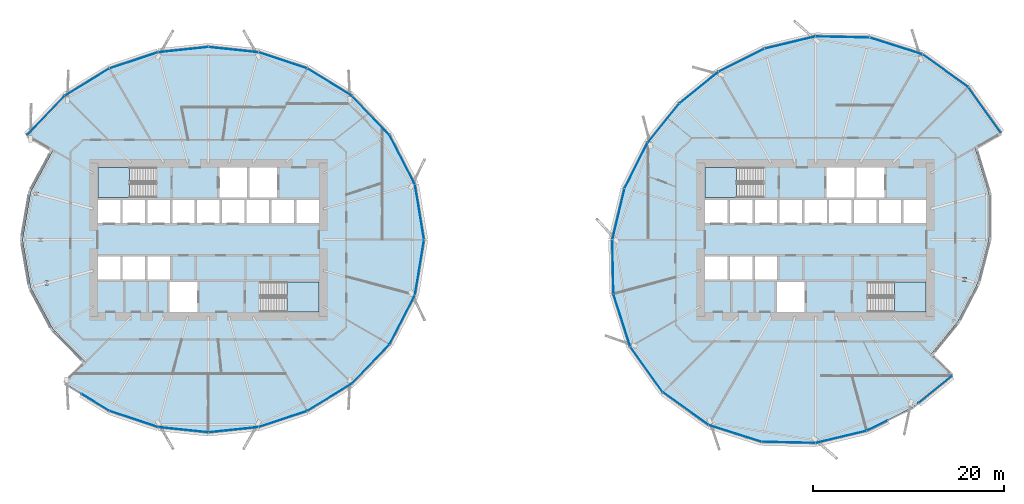
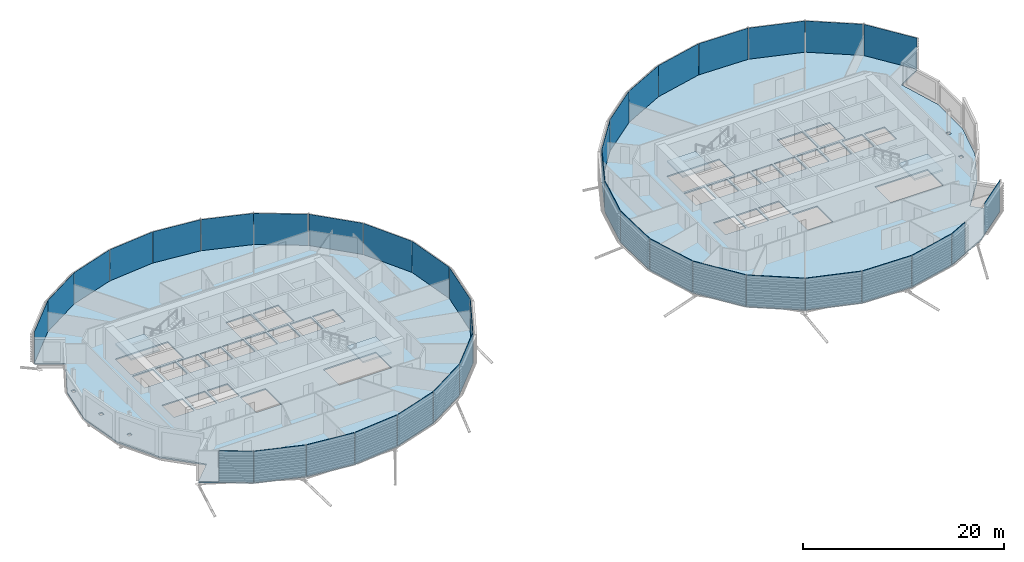
# One storey, part 19 of 38: 38 plates, 6 slabs, 6 elements without a shape of their own.
"""IFC4 building model written with IfcOpenShell, lengths in metres."""

from ifc_helpers import new_model, si_unit, direction, frame, origin, origin_2d, place, context, subcontext, project, spatial, polyline, rectangle, outline, extrude, material, layer, layer_set, type_object, element, aggregate, save


model = new_model("IFC4")

# Units and contexts
model_context = context("Model", 3, precision=1e-05, world=origin(), true_north=direction((0.0, 1.0)))
body_context = subcontext(model_context, "Body", "Model", "MODEL_VIEW")
ifc_project = project(units=[si_unit("LENGTHUNIT", "METRE"), si_unit("AREAUNIT", "SQUARE_METRE"), si_unit("VOLUMEUNIT", "CUBIC_METRE"), si_unit("PLANEANGLEUNIT", "RADIAN"), si_unit("MASSUNIT", "GRAM", prefix="KILO")], contexts=[model_context])

# Site, building, storey
site_placement = place(None, origin())
site = spatial("IfcSite", under=ifc_project, at=site_placement, CompositionType="ELEMENT")
building_placement = place(site_placement, origin())
building = spatial("IfcBuilding", under=site, at=building_placement, Name="Rimbun Link Towers", CompositionType="ELEMENT")
storey_placement = place(building_placement, frame((0.0, 0.0, 49.0)))
storey = spatial("IfcBuildingStorey", under=building, at=storey_placement, Name="L11", CompositionType="ELEMENT", Elevation=49.0)

# Slabs
ifc_material_1 = material(Name="Concrete C35/45", Category="concrete")
ifc_layer_1 = layer(ifc_material_1, 0.159912109375)
ifc_layer_set_1 = layer_set([ifc_layer_1], Name="COMPOSITE FLOOR 160")
slab_type_1 = type_object("IfcSlabType", Name="COMPOSITE FLOOR 160", PredefinedType="FLOOR", material=ifc_layer_set_1)
slab_1_placement = place(storey_placement, frame((0.0, 0.0, -0.159912109375)))
element("IfcSlab", 1, at=slab_1_placement, inside=storey, type_object=slab_type_1, Name="Floor slab T1 L11", PredefinedType="FLOOR", context=body_context, shape_type="SweptSolid", body=[
    extrude(outline(polyline([(-46.76318359375, 15.01318359375), (-42.07861328125, 17.8896484375), (-36.994873046875, 19.57421875), (-31.75, 20.126708984375), (-26.505126953125, 19.57421875), (-21.42138671875, 17.8896484375), (-16.73681640625, 15.01318359375), (-12.82080078125, 10.9287109375), (-10.159423828125, 5.78515625), (-9.208251953125, 0.0), (-10.159423828125, -5.78515625), (-12.82080078125, -10.9287109375), (-16.73681640625, -15.01318359375), (-21.42138671875, -17.8896484375), (-26.505126953125, -19.57421875), (-31.75, -20.126708984375), (-36.994873046875, -19.57421875), (-42.07861328125, -17.8896484375), (-46.76318359375, -15.01318359375), (-44.5712890625, -12.8212890625), (-47.994384765625, -9.378662109375), (-50.34619140625, -4.98291015625), (-51.19189453125, 0.0), (-50.34619140625, 4.98291015625), (-47.994384765625, 9.378662109375), (-50.67919921875, 10.9287109375), (-46.76318359375, 15.01318359375)]), holes=[polyline([(-48.43896484375, -4.72216796875), (-48.43896484375, -4.32861328125), (-48.837890625, -4.32861328125), (-48.837890625, -4.72216796875), (-48.43896484375, -4.72216796875)]), polyline([(-40.95556640625, -4.14990234375), (-40.95556640625, -1.75), (-43.300048828125, -1.75), (-43.300048828125, -4.14990234375), (-40.95556640625, -4.14990234375)]), polyline([(-38.361083984375, -4.14990234375), (-38.361083984375, -1.75), (-40.70556640625, -1.75), (-40.70556640625, -4.14990234375), (-38.361083984375, -4.14990234375)]), polyline([(-38.111083984375, -4.14990234375), (-35.7666015625, -4.14990234375), (-35.7666015625, -1.75), (-38.111083984375, -1.75), (-38.111083984375, -4.14990234375)]), polyline([(-49.4970703125, -0.19677734375), (-49.09814453125, -0.19677734375), (-49.09814453125, 0.19677734375), (-49.4970703125, 0.19677734375), (-49.4970703125, -0.19677734375)]), polyline([(-40.95556640625, 1.75), (-40.95556640625, 4.14990234375), (-43.300048828125, 4.14990234375), (-43.300048828125, 1.75), (-40.95556640625, 1.75)]), polyline([(-38.361083984375, 1.75), (-38.361083984375, 4.14990234375), (-40.70556640625, 4.14990234375), (-40.70556640625, 1.75), (-38.361083984375, 1.75)]), polyline([(-35.7666015625, 1.75), (-35.7666015625, 4.14990234375), (-38.111083984375, 4.14990234375), (-38.111083984375, 1.75), (-35.7666015625, 1.75)]), polyline([(-49.907958984375, 4.615234375), (-49.509033203125, 4.615234375), (-49.509033203125, 5.0087890625), (-49.907958984375, 5.0087890625), (-49.907958984375, 4.615234375)]), polyline([(-43.300048828125, 4.39990234375), (-37.260009765625, 4.39990234375), (-37.260009765625, 7.550048828125), (-43.300048828125, 7.550048828125), (-43.300048828125, 4.39990234375)]), polyline([(-32.89990234375, -7.550048828125), (-32.89990234375, -4.39990234375), (-35.800048828125, -4.39990234375), (-35.800048828125, -7.550048828125), (-32.89990234375, -7.550048828125)]), polyline([(-20.199951171875, -7.550048828125), (-20.199951171875, -4.39990234375), (-26.239990234375, -4.39990234375), (-26.239990234375, -7.550048828125), (-20.199951171875, -7.550048828125)]), polyline([(-33.172119140625, 1.75), (-33.172119140625, 4.14990234375), (-35.5166015625, 4.14990234375), (-35.5166015625, 1.75), (-33.172119140625, 1.75)]), polyline([(-32.922119140625, 1.75), (-30.577880859375, 1.75), (-30.577880859375, 4.14990234375), (-32.922119140625, 4.14990234375), (-32.922119140625, 1.75)]), polyline([(-30.327880859375, 1.75), (-27.9833984375, 1.75), (-27.9833984375, 4.14990234375), (-30.327880859375, 4.14990234375), (-30.327880859375, 1.75)]), polyline([(-25.388916015625, 1.75), (-25.388916015625, 4.14990234375), (-27.7333984375, 4.14990234375), (-27.7333984375, 1.75), (-25.388916015625, 1.75)]), polyline([(-22.79443359375, 1.75), (-22.79443359375, 4.14990234375), (-25.138916015625, 4.14990234375), (-25.138916015625, 1.75), (-22.79443359375, 1.75)]), polyline([(-20.199951171875, 1.75), (-20.199951171875, 4.14990234375), (-22.54443359375, 4.14990234375), (-22.54443359375, 1.75), (-20.199951171875, 1.75)]), polyline([(-30.60009765625, 4.39990234375), (-27.699951171875, 4.39990234375), (-27.699951171875, 7.550048828125), (-30.60009765625, 7.550048828125), (-30.60009765625, 4.39990234375)]), polyline([(-27.449951171875, 4.39990234375), (-24.550048828125, 4.39990234375), (-24.550048828125, 7.550048828125), (-27.449951171875, 7.550048828125), (-27.449951171875, 4.39990234375)])]), origin(), (0.0, 0.0, 1.0), 0.159912109375),
])
slab_2_placement = place(storey_placement, frame((0.0, 0.0, -0.159912109375)))
element("IfcSlab", 2, at=slab_2_placement, inside=storey, type_object=slab_type_1, Name="Floor slab T2 L11", PredefinedType="FLOOR", context=body_context, shape_type="SweptSolid", body=[
    extrude(outline(polyline([(41.88232421875, -17.5498046875), (37.096435546875, -19.953125), (31.75, -21.23193359375), (26.093017578125, -21.11279296875), (20.573974609375, -19.357421875), (15.810546875, -15.939453125), (12.392578125, -11.176025390625), (10.63720703125, -5.656982421875), (10.51806640625, 0.0), (11.796875, 5.346435546875), (14.2001953125, 10.13232421875), (17.518310546875, 14.231689453125), (21.61767578125, 17.5498046875), (26.403564453125, 19.953125), (31.75, 21.23193359375), (37.406982421875, 21.11279296875), (42.926025390625, 19.357421875), (47.689453125, 15.939453125), (51.107421875, 11.176025390625), (48.4228515625, 9.626220703125), (49.868408203125, 4.854736328125), (49.8818359375, 0.0), (48.708740234375, -4.544189453125), (46.614990234375, -8.58251953125), (43.78955078125, -12.03955078125), (45.981689453125, -14.231689453125), (41.88232421875, -17.5498046875)]), holes=[polyline([(30.60009765625, -7.550048828125), (30.60009765625, -4.39990234375), (27.699951171875, -4.39990234375), (27.699951171875, -7.550048828125), (30.60009765625, -7.550048828125)]), polyline([(22.54443359375, -4.14990234375), (22.54443359375, -1.75), (20.199951171875, -1.75), (20.199951171875, -4.14990234375), (22.54443359375, -4.14990234375)]), polyline([(25.138916015625, -4.14990234375), (25.138916015625, -1.75), (22.79443359375, -1.75), (22.79443359375, -4.14990234375), (25.138916015625, -4.14990234375)]), polyline([(27.7333984375, -4.14990234375), (27.7333984375, -1.75), (25.388916015625, -1.75), (25.388916015625, -4.14990234375), (27.7333984375, -4.14990234375)]), polyline([(22.54443359375, 1.75), (22.54443359375, 4.14990234375), (20.199951171875, 4.14990234375), (20.199951171875, 1.75), (22.54443359375, 1.75)]), polyline([(25.138916015625, 1.75), (25.138916015625, 4.14990234375), (22.79443359375, 4.14990234375), (22.79443359375, 1.75), (25.138916015625, 1.75)]), polyline([(27.7333984375, 1.75), (27.7333984375, 4.14990234375), (25.388916015625, 4.14990234375), (25.388916015625, 1.75), (27.7333984375, 1.75)]), polyline([(27.9833984375, 1.75), (30.327880859375, 1.75), (30.327880859375, 4.14990234375), (27.9833984375, 4.14990234375), (27.9833984375, 1.75)]), polyline([(30.577880859375, 1.75), (32.922119140625, 1.75), (32.922119140625, 4.14990234375), (30.577880859375, 4.14990234375), (30.577880859375, 1.75)]), polyline([(26.239990234375, 4.39990234375), (26.239990234375, 7.550048828125), (20.199951171875, 7.550048828125), (20.199951171875, 4.39990234375), (26.239990234375, 4.39990234375)]), polyline([(43.300048828125, -7.550048828125), (43.300048828125, -4.39990234375), (37.260009765625, -4.39990234375), (37.260009765625, -7.550048828125), (43.300048828125, -7.550048828125)]), polyline([(47.509765625, -4.3662109375), (47.509765625, -3.972412109375), (47.110595703125, -3.972412109375), (47.110595703125, -4.3662109375), (47.509765625, -4.3662109375)]), polyline([(48.063720703125, -0.19677734375), (48.462890625, -0.19677734375), (48.462890625, 0.19677734375), (48.063720703125, 0.19677734375), (48.063720703125, -0.19677734375)]), polyline([(33.172119140625, 1.75), (35.5166015625, 1.75), (35.5166015625, 4.14990234375), (33.172119140625, 4.14990234375), (33.172119140625, 1.75)]), polyline([(38.111083984375, 1.75), (38.111083984375, 4.14990234375), (35.7666015625, 4.14990234375), (35.7666015625, 1.75), (38.111083984375, 1.75)]), polyline([(40.70556640625, 1.75), (40.70556640625, 4.14990234375), (38.361083984375, 4.14990234375), (38.361083984375, 1.75), (40.70556640625, 1.75)]), polyline([(43.300048828125, 1.75), (43.300048828125, 4.14990234375), (40.95556640625, 4.14990234375), (40.95556640625, 1.75), (43.300048828125, 1.75)]), polyline([(32.89990234375, 4.39990234375), (35.800048828125, 4.39990234375), (35.800048828125, 7.550048828125), (32.89990234375, 7.550048828125), (32.89990234375, 4.39990234375)]), polyline([(36.050048828125, 4.39990234375), (38.949951171875, 4.39990234375), (38.949951171875, 7.550048828125), (36.050048828125, 7.550048828125), (36.050048828125, 4.39990234375)])]), origin(), (0.0, 0.0, 1.0), 0.159912109375),
])

# Curtain wall, plates
ifc_material_2 = material(Name="Aluminium 6063-T6 and low-iron glass", Category="aluminium")
curtain_wall_type = type_object("IfcCurtainWallType", Name="CW1 unitised vision wall", PredefinedType="NOTDEFINED", material=ifc_material_2)
curtain_wall_1_placement = place(storey_placement, origin())
curtain_wall_1 = element("IfcCurtainWall", 3, at=curtain_wall_1_placement, inside=storey, type_object=curtain_wall_type, Name="CW1 L11 T1", PredefinedType="NOTDEFINED")
ifc_material_3 = material(Name="Low-iron glass, laminated low-e unit", Category="glass")
ifc_layer_2 = layer(ifc_material_3, 0.028076171875)
ifc_layer_set_2 = layer_set([ifc_layer_2], Name="CW1 panel Low-iron glass 28")
plate_type = type_object("IfcPlateType", Name="CW1 panel Low-iron glass 28", PredefinedType="CURTAIN_PANEL", material=ifc_layer_set_2)
plate_1_placement = place(storey_placement, frame((-9.669921875, 2.894775390625, 0.0), z_axis=(0.0, 0.0, 1.0), x_axis=(0.162257788061, -0.986748402691, 0.0)))
plate_1 = element("IfcPlate", 4, at=plate_1_placement, type_object=plate_type, Name="CW1 panel", PredefinedType="CURTAIN_PANEL", context=body_context, shape_type="SweptSolid", body=[
    extrude(rectangle(XDim=5.822998046875, YDim=0.028076171875, at=origin_2d()), origin(), (0.0, 0.0, 1.0), 3.800048828125),
])
plate_2_placement = place(storey_placement, frame((-11.477783203125, 8.36328125, 0.0), z_axis=(0.0, 0.0, 1.0), x_axis=(0.459554913934, -0.888149357416, 0.0)))
plate_2 = element("IfcPlate", 5, at=plate_2_placement, type_object=plate_type, Name="CW1 panel", PredefinedType="CURTAIN_PANEL", context=body_context, shape_type="SweptSolid", body=[
    extrude(rectangle(XDim=5.751220703125, YDim=0.028076171875, at=origin_2d()), origin(), (0.0, 0.0, 1.0), 3.800048828125),
])
plate_3_placement = place(storey_placement, frame((-14.768798828125, 12.980712890625, 0.0), z_axis=(0.0, 0.0, 1.0), x_axis=(0.692051593976, -0.721848038908, 0.0)))
plate_3 = element("IfcPlate", 6, at=plate_3_placement, type_object=plate_type, Name="CW1 panel", PredefinedType="CURTAIN_PANEL", context=body_context, shape_type="SweptSolid", body=[
    extrude(rectangle(XDim=5.618408203125, YDim=0.028076171875, at=origin_2d()), origin(), (0.0, 0.0, 1.0), 3.800048828125),
])
plate_4_placement = place(storey_placement, frame((-19.07177734375, 16.46337890625, 0.0), z_axis=(0.0, 0.0, 1.0), x_axis=(0.852185029135, -0.523240552823, 0.0)))
plate_4 = element("IfcPlate", 7, at=plate_4_placement, type_object=plate_type, Name="CW1 panel", PredefinedType="CURTAIN_PANEL", context=body_context, shape_type="SweptSolid", body=[
    extrude(rectangle(XDim=5.457275390625, YDim=0.028076171875, at=origin_2d()), origin(), (0.0, 0.0, 1.0), 3.800048828125),
])
plate_5_placement = place(storey_placement, frame((-23.958984375, 18.7451171875, 0.0), z_axis=(0.0, 0.0, 1.0), x_axis=(0.949238271648, -0.314557949572, 0.0)))
plate_5 = element("IfcPlate", 8, at=plate_5_placement, type_object=plate_type, Name="CW1 panel", PredefinedType="CURTAIN_PANEL", context=body_context, shape_type="SweptSolid", body=[
    extrude(rectangle(XDim=5.3154296875, YDim=0.028076171875, at=origin_2d()), origin(), (0.0, 0.0, 1.0), 3.800048828125),
])
plate_6_placement = place(storey_placement, frame((-29.1259765625, 19.8642578125, 0.0), z_axis=(0.0, 0.0, 1.0), x_axis=(0.994499425228, -0.104742031783, 0.0)))
plate_6 = element("IfcPlate", 9, at=plate_6_placement, type_object=plate_type, Name="CW1 panel", PredefinedType="CURTAIN_PANEL", context=body_context, shape_type="SweptSolid", body=[
    extrude(rectangle(XDim=5.23388671875, YDim=0.028076171875, at=origin_2d()), origin(), (0.0, 0.0, 1.0), 3.800048828125),
])
plate_7_placement = place(storey_placement, frame((-34.3740234375, 19.8642578125, 0.0), z_axis=(0.0, 0.0, 1.0), x_axis=(0.994499425228, 0.104742031783, 0.0)))
plate_7 = element("IfcPlate", 10, at=plate_7_placement, type_object=plate_type, Name="CW1 panel", PredefinedType="CURTAIN_PANEL", context=body_context, shape_type="SweptSolid", body=[
    extrude(rectangle(XDim=5.23388671875, YDim=0.028076171875, at=origin_2d()), origin(), (0.0, 0.0, 1.0), 3.800048828125),
])
plate_8_placement = place(storey_placement, frame((-39.541015625, 18.7451171875, 0.0), z_axis=(0.0, 0.0, 1.0), x_axis=(0.949238271648, 0.314557949572, 0.0)))
plate_8 = element("IfcPlate", 11, at=plate_8_placement, type_object=plate_type, Name="CW1 panel", PredefinedType="CURTAIN_PANEL", context=body_context, shape_type="SweptSolid", body=[
    extrude(rectangle(XDim=5.3154296875, YDim=0.028076171875, at=origin_2d()), origin(), (0.0, 0.0, 1.0), 3.800048828125),
])
plate_9_placement = place(storey_placement, frame((-44.42822265625, 16.46337890625, 0.0), z_axis=(0.0, 0.0, 1.0), x_axis=(0.852185029135, 0.523240552823, 0.0)))
plate_9 = element("IfcPlate", 12, at=plate_9_placement, type_object=plate_type, Name="CW1 panel", PredefinedType="CURTAIN_PANEL", context=body_context, shape_type="SweptSolid", body=[
    extrude(rectangle(XDim=5.457275390625, YDim=0.028076171875, at=origin_2d()), origin(), (0.0, 0.0, 1.0), 3.800048828125),
])
plate_10_placement = place(storey_placement, frame((-48.731201171875, 12.980712890625, 0.0), z_axis=(0.0, 0.0, 1.0), x_axis=(0.692051593976, 0.721848038908, 0.0)))
plate_10 = element("IfcPlate", 13, at=plate_10_placement, type_object=plate_type, Name="CW1 panel", PredefinedType="CURTAIN_PANEL", context=body_context, shape_type="SweptSolid", body=[
    extrude(rectangle(XDim=5.618408203125, YDim=0.028076171875, at=origin_2d()), origin(), (0.0, 0.0, 1.0), 3.800048828125),
])
plate_11_placement = place(storey_placement, frame((-43.5546875, -16.999755859375, 0.0), z_axis=(0.0, 0.0, 1.0), x_axis=(-0.852185029135, 0.523240552823, 0.0)))
plate_11 = element("IfcPlate", 14, at=plate_11_placement, type_object=plate_type, Name="CW1 panel", PredefinedType="CURTAIN_PANEL", context=body_context, shape_type="SweptSolid", body=[
    extrude(rectangle(XDim=3.4072265625, YDim=0.028076171875, at=origin_2d()), origin(), (0.0, 0.0, 1.0), 3.800048828125),
])
plate_12_placement = place(storey_placement, frame((-39.541015625, -18.7451171875, 0.0), z_axis=(0.0, 0.0, 1.0), x_axis=(-0.949238271648, 0.314557949572, 0.0)))
plate_12 = element("IfcPlate", 15, at=plate_12_placement, type_object=plate_type, Name="CW1 panel", PredefinedType="CURTAIN_PANEL", context=body_context, shape_type="SweptSolid", body=[
    extrude(rectangle(XDim=5.3154296875, YDim=0.028076171875, at=origin_2d()), origin(), (0.0, 0.0, 1.0), 3.800048828125),
])
plate_13_placement = place(storey_placement, frame((-34.3740234375, -19.8642578125, 0.0), z_axis=(0.0, 0.0, 1.0), x_axis=(-0.994499425228, 0.104742031783, 0.0)))
plate_13 = element("IfcPlate", 16, at=plate_13_placement, type_object=plate_type, Name="CW1 panel", PredefinedType="CURTAIN_PANEL", context=body_context, shape_type="SweptSolid", body=[
    extrude(rectangle(XDim=5.23388671875, YDim=0.028076171875, at=origin_2d()), origin(), (0.0, 0.0, 1.0), 3.800048828125),
])
plate_14_placement = place(storey_placement, frame((-29.1259765625, -19.8642578125, 0.0), z_axis=(0.0, 0.0, 1.0), x_axis=(-0.994499425228, -0.104742031783, 0.0)))
plate_14 = element("IfcPlate", 17, at=plate_14_placement, type_object=plate_type, Name="CW1 panel", PredefinedType="CURTAIN_PANEL", context=body_context, shape_type="SweptSolid", body=[
    extrude(rectangle(XDim=5.23388671875, YDim=0.028076171875, at=origin_2d()), origin(), (0.0, 0.0, 1.0), 3.800048828125),
])
plate_15_placement = place(storey_placement, frame((-23.958984375, -18.7451171875, 0.0), z_axis=(0.0, 0.0, 1.0), x_axis=(-0.949238271648, -0.314557949572, 0.0)))
plate_15 = element("IfcPlate", 18, at=plate_15_placement, type_object=plate_type, Name="CW1 panel", PredefinedType="CURTAIN_PANEL", context=body_context, shape_type="SweptSolid", body=[
    extrude(rectangle(XDim=5.3154296875, YDim=0.028076171875, at=origin_2d()), origin(), (0.0, 0.0, 1.0), 3.800048828125),
])
plate_16_placement = place(storey_placement, frame((-19.07177734375, -16.46337890625, 0.0), z_axis=(0.0, 0.0, 1.0), x_axis=(-0.852185029135, -0.523240552823, 0.0)))
plate_16 = element("IfcPlate", 19, at=plate_16_placement, type_object=plate_type, Name="CW1 panel", PredefinedType="CURTAIN_PANEL", context=body_context, shape_type="SweptSolid", body=[
    extrude(rectangle(XDim=5.457275390625, YDim=0.028076171875, at=origin_2d()), origin(), (0.0, 0.0, 1.0), 3.800048828125),
])
plate_17_placement = place(storey_placement, frame((-14.768798828125, -12.980712890625, 0.0), z_axis=(0.0, 0.0, 1.0), x_axis=(-0.692051593976, -0.721848038908, 0.0)))
plate_17 = element("IfcPlate", 20, at=plate_17_placement, type_object=plate_type, Name="CW1 panel", PredefinedType="CURTAIN_PANEL", context=body_context, shape_type="SweptSolid", body=[
    extrude(rectangle(XDim=5.618408203125, YDim=0.028076171875, at=origin_2d()), origin(), (0.0, 0.0, 1.0), 3.800048828125),
])
plate_18_placement = place(storey_placement, frame((-11.477783203125, -8.36328125, 0.0), z_axis=(0.0, 0.0, 1.0), x_axis=(-0.459554913934, -0.888149357416, 0.0)))
plate_18 = element("IfcPlate", 21, at=plate_18_placement, type_object=plate_type, Name="CW1 panel", PredefinedType="CURTAIN_PANEL", context=body_context, shape_type="SweptSolid", body=[
    extrude(rectangle(XDim=5.751220703125, YDim=0.028076171875, at=origin_2d()), origin(), (0.0, 0.0, 1.0), 3.800048828125),
])
plate_19_placement = place(storey_placement, frame((-9.669921875, -2.894775390625, 0.0), z_axis=(0.0, 0.0, 1.0), x_axis=(-0.162257788061, -0.986748402691, 0.0)))
plate_19 = element("IfcPlate", 22, at=plate_19_placement, type_object=plate_type, Name="CW1 panel", PredefinedType="CURTAIN_PANEL", context=body_context, shape_type="SweptSolid", body=[
    extrude(rectangle(XDim=5.822998046875, YDim=0.028076171875, at=origin_2d()), origin(), (0.0, 0.0, 1.0), 3.800048828125),
])
aggregate(curtain_wall_1, [plate_1, plate_2, plate_3, plate_4, plate_5, plate_6, plate_7, plate_8, plate_9, plate_10, plate_11, plate_12, plate_13, plate_14, plate_15, plate_16, plate_17, plate_18, plate_19])

curtain_wall_2_placement = place(storey_placement, origin())
curtain_wall_2 = element("IfcCurtainWall", 23, at=curtain_wall_2_placement, inside=storey, type_object=curtain_wall_type, Name="CW1 L11 T2", PredefinedType="NOTDEFINED")
plate_20_placement = place(storey_placement, frame((45.31591796875, 17.659912109375, 0.0), z_axis=(0.0, 0.0, 1.0), x_axis=(0.812475373202, -0.582995512796, 0.0)))
plate_20 = element("IfcPlate", 24, at=plate_20_placement, type_object=plate_type, Name="CW1 panel", PredefinedType="CURTAIN_PANEL", context=body_context, shape_type="SweptSolid", body=[
    extrude(rectangle(XDim=5.82275390625, YDim=0.028076171875, at=origin_2d()), origin(), (0.0, 0.0, 1.0), 3.800048828125),
])
plate_21_placement = place(storey_placement, frame((40.1708984375, 20.24853515625, 0.0), z_axis=(0.0, 0.0, 1.0), x_axis=(0.952967950316, -0.303071090127, 0.0)))
plate_21 = element("IfcPlate", 25, at=plate_21_placement, type_object=plate_type, Name="CW1 panel", PredefinedType="CURTAIN_PANEL", context=body_context, shape_type="SweptSolid", body=[
    extrude(rectangle(XDim=5.75146484375, YDim=0.028076171875, at=origin_2d()), origin(), (0.0, 0.0, 1.0), 3.800048828125),
])
plate_22_placement = place(storey_placement, frame((34.578857421875, 21.186279296875, 0.0), z_axis=(0.0, 0.0, 1.0), x_axis=(0.999778083181, -0.021066190713, 0.0)))
plate_22 = element("IfcPlate", 26, at=plate_22_placement, type_object=plate_type, Name="CW1 panel", PredefinedType="CURTAIN_PANEL", context=body_context, shape_type="SweptSolid", body=[
    extrude(rectangle(XDim=5.618408203125, YDim=0.028076171875, at=origin_2d()), origin(), (0.0, 0.0, 1.0), 3.800048828125),
])
plate_23_placement = place(storey_placement, frame((29.073486328125, 20.606201171875, 0.0), z_axis=(0.0, 0.0, 1.0), x_axis=(0.972570124746, 0.232609871785, 0.0)))
plate_23 = element("IfcPlate", 27, at=plate_23_placement, type_object=plate_type, Name="CW1 panel", PredefinedType="CURTAIN_PANEL", context=body_context, shape_type="SweptSolid", body=[
    extrude(rectangle(XDim=5.457275390625, YDim=0.028076171875, at=origin_2d()), origin(), (0.0, 0.0, 1.0), 3.800048828125),
])
plate_24_placement = place(storey_placement, frame((24.00439453125, 18.763916015625, 0.0), z_axis=(0.0, 0.0, 1.0), x_axis=(0.893649080423, 0.448766443776, 0.0)))
plate_24 = element("IfcPlate", 28, at=plate_24_placement, type_object=plate_type, Name="CW1 panel", PredefinedType="CURTAIN_PANEL", context=body_context, shape_type="SweptSolid", body=[
    extrude(rectangle(XDim=5.315673828125, YDim=0.028076171875, at=origin_2d()), origin(), (0.0, 0.0, 1.0), 3.800048828125),
])
plate_25_placement = place(storey_placement, frame((19.55908203125, 15.901611328125, 0.0), z_axis=(0.0, 0.0, 1.0), x_axis=(0.777280194631, 0.629154590729, 0.0)))
plate_25 = element("IfcPlate", 29, at=plate_25_placement, type_object=plate_type, Name="CW1 panel", PredefinedType="CURTAIN_PANEL", context=body_context, shape_type="SweptSolid", body=[
    extrude(rectangle(XDim=5.23388671875, YDim=0.028076171875, at=origin_2d()), origin(), (0.0, 0.0, 1.0), 3.800048828125),
])
plate_26_placement = place(storey_placement, frame((15.848388671875, 12.19091796875, 0.0), z_axis=(0.0, 0.0, 1.0), x_axis=(0.629154590729, 0.777280194631, 0.0)))
plate_26 = element("IfcPlate", 30, at=plate_26_placement, type_object=plate_type, Name="CW1 panel", PredefinedType="CURTAIN_PANEL", context=body_context, shape_type="SweptSolid", body=[
    extrude(rectangle(XDim=5.23388671875, YDim=0.028076171875, at=origin_2d()), origin(), (0.0, 0.0, 1.0), 3.800048828125),
])
plate_27_placement = place(storey_placement, frame((12.986083984375, 7.74560546875, 0.0), z_axis=(0.0, 0.0, 1.0), x_axis=(0.448766443776, 0.893649080423, 0.0)))
plate_27 = element("IfcPlate", 31, at=plate_27_placement, type_object=plate_type, Name="CW1 panel", PredefinedType="CURTAIN_PANEL", context=body_context, shape_type="SweptSolid", body=[
    extrude(rectangle(XDim=5.315673828125, YDim=0.028076171875, at=origin_2d()), origin(), (0.0, 0.0, 1.0), 3.800048828125),
])
plate_28_placement = place(storey_placement, frame((11.143798828125, 2.676513671875, 0.0), z_axis=(0.0, 0.0, 1.0), x_axis=(0.232609871785, 0.972570124746, 0.0)))
plate_28 = element("IfcPlate", 32, at=plate_28_placement, type_object=plate_type, Name="CW1 panel", PredefinedType="CURTAIN_PANEL", context=body_context, shape_type="SweptSolid", body=[
    extrude(rectangle(XDim=5.457275390625, YDim=0.028076171875, at=origin_2d()), origin(), (0.0, 0.0, 1.0), 3.800048828125),
])
plate_29_placement = place(storey_placement, frame((10.563720703125, -2.828857421875, 0.0), z_axis=(0.0, 0.0, 1.0), x_axis=(-0.021066190713, 0.999778083181, 0.0)))
plate_29 = element("IfcPlate", 33, at=plate_29_placement, type_object=plate_type, Name="CW1 panel", PredefinedType="CURTAIN_PANEL", context=body_context, shape_type="SweptSolid", body=[
    extrude(rectangle(XDim=5.618408203125, YDim=0.028076171875, at=origin_2d()), origin(), (0.0, 0.0, 1.0), 3.800048828125),
])
plate_30_placement = place(storey_placement, frame((11.50146484375, -8.4208984375, 0.0), z_axis=(0.0, 0.0, 1.0), x_axis=(-0.303071090127, 0.952967950316, 0.0)))
plate_30 = element("IfcPlate", 34, at=plate_30_placement, type_object=plate_type, Name="CW1 panel", PredefinedType="CURTAIN_PANEL", context=body_context, shape_type="SweptSolid", body=[
    extrude(rectangle(XDim=5.75146484375, YDim=0.028076171875, at=origin_2d()), origin(), (0.0, 0.0, 1.0), 3.800048828125),
])
plate_31_placement = place(storey_placement, frame((14.090087890625, -13.56591796875, 0.0), z_axis=(0.0, 0.0, 1.0), x_axis=(-0.582995512796, 0.812475373202, 0.0)))
plate_31 = element("IfcPlate", 35, at=plate_31_placement, type_object=plate_type, Name="CW1 panel", PredefinedType="CURTAIN_PANEL", context=body_context, shape_type="SweptSolid", body=[
    extrude(rectangle(XDim=5.82275390625, YDim=0.028076171875, at=origin_2d()), origin(), (0.0, 0.0, 1.0), 3.800048828125),
])
plate_32_placement = place(storey_placement, frame((18.18408203125, -17.659912109375, 0.0), z_axis=(0.0, 0.0, 1.0), x_axis=(-0.812475373202, 0.582995512796, 0.0)))
plate_32 = element("IfcPlate", 36, at=plate_32_placement, type_object=plate_type, Name="CW1 panel", PredefinedType="CURTAIN_PANEL", context=body_context, shape_type="SweptSolid", body=[
    extrude(rectangle(XDim=5.82275390625, YDim=0.028076171875, at=origin_2d()), origin(), (0.0, 0.0, 1.0), 3.800048828125),
])
plate_33_placement = place(storey_placement, frame((23.3291015625, -20.24853515625, 0.0), z_axis=(0.0, 0.0, 1.0), x_axis=(-0.952967950316, 0.303071090127, 0.0)))
plate_33 = element("IfcPlate", 37, at=plate_33_placement, type_object=plate_type, Name="CW1 panel", PredefinedType="CURTAIN_PANEL", context=body_context, shape_type="SweptSolid", body=[
    extrude(rectangle(XDim=5.75146484375, YDim=0.028076171875, at=origin_2d()), origin(), (0.0, 0.0, 1.0), 3.800048828125),
])
plate_34_placement = place(storey_placement, frame((28.921142578125, -21.186279296875, 0.0), z_axis=(0.0, 0.0, 1.0), x_axis=(-0.999778083181, 0.021066190713, 0.0)))
plate_34 = element("IfcPlate", 38, at=plate_34_placement, type_object=plate_type, Name="CW1 panel", PredefinedType="CURTAIN_PANEL", context=body_context, shape_type="SweptSolid", body=[
    extrude(rectangle(XDim=5.618408203125, YDim=0.028076171875, at=origin_2d()), origin(), (0.0, 0.0, 1.0), 3.800048828125),
])
plate_35_placement = place(storey_placement, frame((34.426513671875, -20.606201171875, 0.0), z_axis=(0.0, 0.0, 1.0), x_axis=(-0.972570124746, -0.232609871785, 0.0)))
plate_35 = element("IfcPlate", 39, at=plate_35_placement, type_object=plate_type, Name="CW1 panel", PredefinedType="CURTAIN_PANEL", context=body_context, shape_type="SweptSolid", body=[
    extrude(rectangle(XDim=5.457275390625, YDim=0.028076171875, at=origin_2d()), origin(), (0.0, 0.0, 1.0), 3.800048828125),
])
plate_36_placement = place(storey_placement, frame((38.199951171875, -19.414794921875, 0.0), z_axis=(0.0, 0.0, 1.0), x_axis=(-0.893649080423, -0.448766443776, 0.0)))
plate_36 = element("IfcPlate", 40, at=plate_36_placement, type_object=plate_type, Name="CW1 panel", PredefinedType="CURTAIN_PANEL", context=body_context, shape_type="SweptSolid", body=[
    extrude(rectangle(XDim=2.41552734375, YDim=0.028076171875, at=origin_2d()), origin(), (0.0, 0.0, 1.0), 3.800048828125),
])
plate_37_placement = place(storey_placement, frame((44.232421875, -15.665771484375, 0.0), z_axis=(0.0, 0.0, 1.0), x_axis=(-0.777280194631, -0.629154590729, 0.0)))
plate_37 = element("IfcPlate", 41, at=plate_37_placement, type_object=plate_type, Name="CW1 panel", PredefinedType="CURTAIN_PANEL", context=body_context, shape_type="SweptSolid", body=[
    extrude(rectangle(XDim=4.48388671875, YDim=0.028076171875, at=origin_2d()), origin(), (0.0, 0.0, 1.0), 3.800048828125),
])
plate_38_placement = place(storey_placement, frame((49.409912109375, 13.56591796875, 0.0), z_axis=(0.0, 0.0, 1.0), x_axis=(0.582995512796, -0.812475373202, 0.0)))
plate_38 = element("IfcPlate", 42, at=plate_38_placement, type_object=plate_type, Name="CW1 panel", PredefinedType="CURTAIN_PANEL", context=body_context, shape_type="SweptSolid", body=[
    extrude(rectangle(XDim=5.82275390625, YDim=0.028076171875, at=origin_2d()), origin(), (0.0, 0.0, 1.0), 3.800048828125),
])
aggregate(curtain_wall_2, [plate_20, plate_21, plate_22, plate_23, plate_24, plate_25, plate_26, plate_27, plate_28, plate_29, plate_30, plate_31, plate_32, plate_33, plate_34, plate_35, plate_36, plate_37, plate_38])

# Stair, slab
ifc_material_4 = material(Name="Concrete C40/50", Category="concrete")
stair_type = type_object("IfcStairType", Name="Exit stair 3800 rise", PredefinedType="HALF_TURN_STAIR", material=ifc_material_4)
stair_1_placement = place(storey_placement, origin())
stair_1 = element("IfcStair", 43, at=stair_1_placement, inside=storey, type_object=stair_type, Name="L11 EXIT STAIR A", PredefinedType="HALF_TURN_STAIR")
ifc_material_5 = material(Name="Concrete C40/50", Category="concrete")
ifc_layer_3 = layer(ifc_material_5, 0.199951171875)
ifc_layer_set_3 = layer_set([ifc_layer_3], Name="Stair landing")
slab_type_2 = type_object("IfcSlabType", Name="Stair landing", PredefinedType="LANDING", material=ifc_layer_set_3)
slab_3_placement = place(storey_placement, frame((0.0, 0.0, 1.699951171875)))
slab_3 = element("IfcSlab", 44, at=slab_3_placement, type_object=slab_type_2, Name="ST1 landing 1", PredefinedType="LANDING", context=body_context, shape_type="SweptSolid", body=[
    extrude(outline(polyline([(-40.0, 7.550048828125), (-43.300048828125, 7.550048828125), (-43.300048828125, 4.39990234375), (-40.0, 4.39990234375), (-40.0, 7.550048828125)])), origin(), (0.0, 0.0, 1.0), 0.199951171875),
])
aggregate(stair_1, [slab_3])

stair_2_placement = place(storey_placement, origin())
stair_2 = element("IfcStair", 45, at=stair_2_placement, inside=storey, type_object=stair_type, Name="L11 EXIT STAIR B", PredefinedType="HALF_TURN_STAIR")
slab_4_placement = place(storey_placement, frame((0.0, 0.0, 1.699951171875)))
slab_4 = element("IfcSlab", 46, at=slab_4_placement, type_object=slab_type_2, Name="ST2 landing 1", PredefinedType="LANDING", context=body_context, shape_type="SweptSolid", body=[
    extrude(outline(polyline([(-23.5, -7.550048828125), (-20.199951171875, -7.550048828125), (-20.199951171875, -4.39990234375), (-23.5, -4.39990234375), (-23.5, -7.550048828125)])), origin(), (0.0, 0.0, 1.0), 0.199951171875),
])
aggregate(stair_2, [slab_4])

stair_3_placement = place(storey_placement, origin())
stair_3 = element("IfcStair", 47, at=stair_3_placement, inside=storey, type_object=stair_type, Name="L11 EXIT STAIR A", PredefinedType="HALF_TURN_STAIR")
slab_5_placement = place(storey_placement, frame((0.0, 0.0, 1.699951171875)))
slab_5 = element("IfcSlab", 48, at=slab_5_placement, type_object=slab_type_2, Name="ST3 landing 1", PredefinedType="LANDING", context=body_context, shape_type="SweptSolid", body=[
    extrude(outline(polyline([(23.5, 7.550048828125), (20.199951171875, 7.550048828125), (20.199951171875, 4.39990234375), (23.5, 4.39990234375), (23.5, 7.550048828125)])), origin(), (0.0, 0.0, 1.0), 0.199951171875),
])
aggregate(stair_3, [slab_5])

stair_4_placement = place(storey_placement, origin())
stair_4 = element("IfcStair", 49, at=stair_4_placement, inside=storey, type_object=stair_type, Name="L11 EXIT STAIR B", PredefinedType="HALF_TURN_STAIR")
slab_6_placement = place(storey_placement, frame((0.0, 0.0, 1.699951171875)))
slab_6 = element("IfcSlab", 50, at=slab_6_placement, type_object=slab_type_2, Name="ST4 landing 1", PredefinedType="LANDING", context=body_context, shape_type="SweptSolid", body=[
    extrude(outline(polyline([(40.0, -7.550048828125), (43.300048828125, -7.550048828125), (43.300048828125, -4.39990234375), (40.0, -4.39990234375), (40.0, -7.550048828125)])), origin(), (0.0, 0.0, 1.0), 0.199951171875),
])
aggregate(stair_4, [slab_6])

save(model, "model.ifc")
